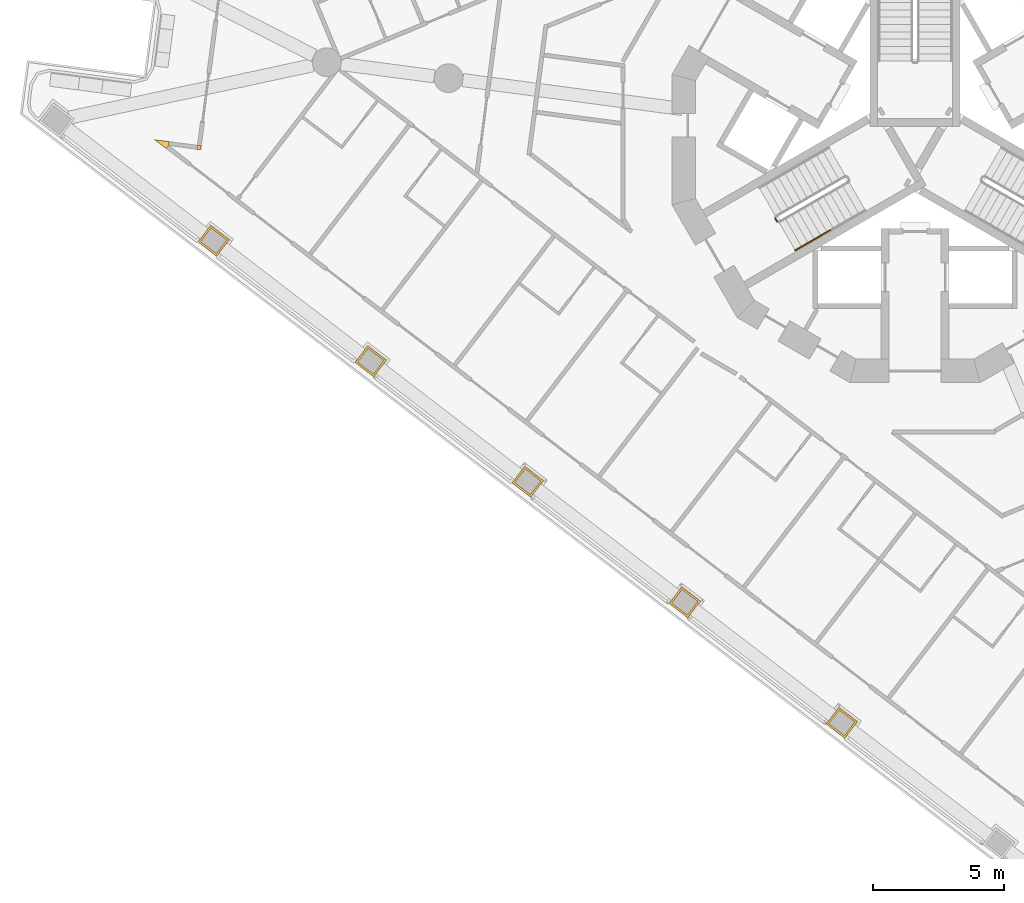
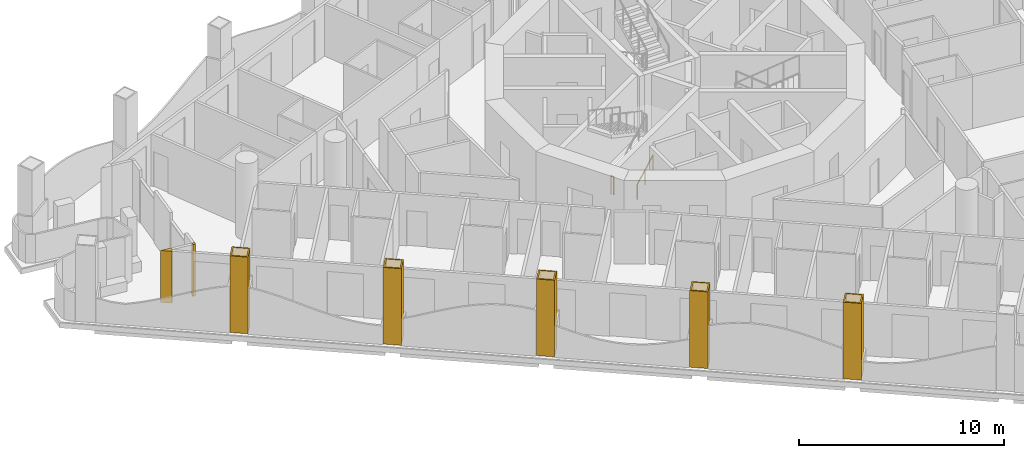
# One storey, part 11 of 17: 7 coverings, 2 railings.
"""IFC4 building model written with IfcOpenShell, lengths in metres."""

from ifc_helpers import new_model, si_unit, direction, frame, origin, origin_2d, place, context, subcontext, project, spatial, polyline, circle, outline, extrude, material, layer, layer_set, type_object, element, save


model = new_model("IFC4")

# Units and contexts
model_context = context("Model", 3, precision=1e-05, world=origin(), true_north=direction((0.0, 1.0)))
body_context = subcontext(model_context, "Body", "Model", "MODEL_VIEW")
ifc_project = project(units=[si_unit("LENGTHUNIT", "METRE"), si_unit("AREAUNIT", "SQUARE_METRE"), si_unit("VOLUMEUNIT", "CUBIC_METRE"), si_unit("PLANEANGLEUNIT", "RADIAN"), si_unit("MASSUNIT", "GRAM", prefix="KILO")], contexts=[model_context])

# Site, building, storey
site_placement = place(None, origin())
site = spatial("IfcSite", under=ifc_project, at=site_placement, CompositionType="ELEMENT")
building_placement = place(site_placement, origin())
building = spatial("IfcBuilding", under=site, at=building_placement, Name="Trine Commons Tower", CompositionType="ELEMENT")
storey_placement = place(building_placement, frame((0.0, 0.0, 153.0)))
storey = spatial("IfcBuildingStorey", under=building, at=storey_placement, Name="L39", CompositionType="ELEMENT", Elevation=153.0)

# Coverings
ifc_material_1 = material(Name="Aluminium-framed insulated wall panel", Category="aluminium")
ifc_layer_1 = layer(ifc_material_1, 0.14990234375)
ifc_layer_set_1 = layer_set([ifc_layer_1], Name="Aluminium-framed insulated wall panel")
covering_type_1 = type_object("IfcCoveringType", Name="Glazing corner post, aluminium", PredefinedType="CLADDING", material=ifc_layer_set_1)
covering_1_placement = place(storey_placement, origin())
element("IfcCovering", 1, at=covering_1_placement, inside=storey, type_object=covering_type_1, Name="Glazing corner post 4-01", PredefinedType="CLADDING", context=body_context, shape_type="SweptSolid", body=[
    extrude(outline(polyline([(51.43359375, 62.15576171875), (51.52490234375, 62.27490234375), (51.54443359375, 62.423583984375), (50.989501953125, 62.49658203125), (51.43359375, 62.15576171875)])), origin(), (0.0, 0.0, 1.0), 3.10009765625),
])
covering_2_placement = place(storey_placement, origin())
element("IfcCovering", 2, at=covering_2_placement, inside=storey, type_object=covering_type_1, Name="Glazing corner post 4-02", PredefinedType="CLADDING", context=body_context, shape_type="SweptSolid", body=[
    extrude(outline(polyline([(52.601318359375, 62.133056640625), (52.75, 62.113525390625), (52.76953125, 62.26220703125), (52.620849609375, 62.28173828125), (52.601318359375, 62.133056640625)])), origin(), (0.0, 0.0, 1.0), 3.10009765625),
])
ifc_material_2 = material(Name="Limestone, honed", Category="masonry")
ifc_layer_2 = layer(ifc_material_2, 0.074951171875)
ifc_layer_set_2 = layer_set([ifc_layer_2], Name="Limestone, honed")
covering_type_2 = type_object("IfcCoveringType", Name="Limestone column cladding 75", PredefinedType="CLADDING", material=ifc_layer_set_2)
covering_3_placement = place(storey_placement, origin())
element("IfcCovering", 3, at=covering_3_placement, inside=storey, type_object=covering_type_2, Name="Limestone pier cladding 4-03", PredefinedType="CLADDING", context=body_context, shape_type="SweptSolid", body=[
    extrude(outline(polyline([(77.092041015625, 40.84130859375), (76.60498046875, 40.206787109375), (77.319091796875, 39.65869140625), (77.805908203125, 40.29345703125), (77.092041015625, 40.84130859375)]), holes=[polyline([(77.105712890625, 40.736083984375), (76.710205078125, 40.220458984375), (77.30517578125, 39.763916015625), (77.700927734375, 40.27978515625), (77.105712890625, 40.736083984375)])]), origin(), (0.0, 0.0, 1.0), 4.565185546875),
])
covering_4_placement = place(storey_placement, origin())
element("IfcCovering", 4, at=covering_4_placement, inside=storey, type_object=covering_type_2, Name="Limestone pier cladding 4-04", PredefinedType="CLADDING", context=body_context, shape_type="SweptSolid", body=[
    extrude(outline(polyline([(71.1005859375, 45.438720703125), (70.61376953125, 44.803955078125), (71.32763671875, 44.256103515625), (71.814697265625, 44.890869140625), (71.1005859375, 45.438720703125)]), holes=[polyline([(71.114501953125, 45.33349609375), (70.71875, 44.81787109375), (71.31396484375, 44.361328125), (71.709716796875, 44.876953125), (71.114501953125, 45.33349609375)])]), origin(), (0.0, 0.0, 1.0), 4.565185546875),
])
covering_5_placement = place(storey_placement, origin())
element("IfcCovering", 5, at=covering_5_placement, inside=storey, type_object=covering_type_2, Name="Limestone pier cladding 4-05", PredefinedType="CLADDING", context=body_context, shape_type="SweptSolid", body=[
    extrude(outline(polyline([(65.109375, 50.035888671875), (64.622314453125, 49.4013671875), (65.336181640625, 48.853515625), (65.8232421875, 49.488037109375), (65.109375, 50.035888671875)]), holes=[polyline([(65.123046875, 49.930908203125), (64.727294921875, 49.4150390625), (65.322509765625, 48.95849609375), (65.71826171875, 49.474365234375), (65.123046875, 49.930908203125)])]), origin(), (0.0, 0.0, 1.0), 4.565185546875),
])
covering_6_placement = place(storey_placement, origin())
element("IfcCovering", 6, at=covering_6_placement, inside=storey, type_object=covering_type_2, Name="Limestone pier cladding 4-06", PredefinedType="CLADDING", context=body_context, shape_type="SweptSolid", body=[
    extrude(outline(polyline([(59.117919921875, 54.63330078125), (58.631103515625, 53.998779296875), (59.344970703125, 53.45068359375), (59.83203125, 54.08544921875), (59.117919921875, 54.63330078125)]), holes=[polyline([(59.1318359375, 54.5283203125), (58.736083984375, 54.012451171875), (59.331298828125, 53.555908203125), (59.726806640625, 54.07177734375), (59.1318359375, 54.5283203125)])]), origin(), (0.0, 0.0, 1.0), 4.565185546875),
])
covering_7_placement = place(storey_placement, origin())
element("IfcCovering", 7, at=covering_7_placement, inside=storey, type_object=covering_type_2, Name="Limestone pier cladding 4-07", PredefinedType="CLADDING", context=body_context, shape_type="SweptSolid", body=[
    extrude(outline(polyline([(53.126708984375, 59.230712890625), (52.6396484375, 58.595947265625), (53.353515625, 58.048095703125), (53.840576171875, 58.682861328125), (53.126708984375, 59.230712890625)]), holes=[polyline([(53.140380859375, 59.12548828125), (52.74462890625, 58.60986328125), (53.33984375, 58.1533203125), (53.735595703125, 58.6689453125), (53.140380859375, 59.12548828125)])]), origin(), (0.0, 0.0, 1.0), 4.565185546875),
])

# Railings
ifc_material_3 = material(Name="Stainless steel balustrade", Category="steel")
railing_type_1 = type_object("IfcRailingType", Name="Stair guard, steel balustrade 1100", PredefinedType="GUARDRAIL", material=ifc_material_3)
railing_1_placement = place(storey_placement, frame((74.73681640625, 59.374755859375, 0.0)))
element("IfcRailing", 8, at=railing_1_placement, inside=storey, type_object=railing_type_1, Name="L39 ST2B stair guard 4", PredefinedType="GUARDRAIL", context=body_context, shape_type="SweptSolid", body=[
    extrude(circle(Radius=0.02392578125, at=origin_2d()), frame((0.0, 0.0, 1.076171875), z_axis=(-0.499816412211, 0.866131372301, 0.0), x_axis=(-0.866131372301, -0.499816412211, 0.0)), (0.0, 0.0, 1.0), 0.14990234375),
    extrude(circle(Radius=0.02099609375, at=origin_2d()), origin(), (0.0, 0.0, 1.0), 1.052001953125),
    extrude(circle(Radius=0.02099609375, at=origin_2d()), frame((-0.074951171875, 0.1298828125, 0.0)), (0.0, 0.0, 1.0), 1.052001953125),
])
ifc_material_4 = material(Name="Stainless steel handrail", Category="steel")
railing_type_2 = type_object("IfcRailingType", Name="Stair handrail, steel 900", PredefinedType="HANDRAIL", material=ifc_material_4)
railing_2_placement = place(storey_placement, frame((75.43017578125, 58.27392578125, 0.14990234375)))
element("IfcRailing", 9, at=railing_2_placement, inside=storey, type_object=railing_type_2, Name="L39 ST2B stair handrail 1", PredefinedType="HANDRAIL", context=body_context, shape_type="SweptSolid", body=[
    extrude(circle(Radius=0.02099609375, at=origin_2d()), frame((0.0, 0.0, 0.87890625), z_axis=(0.763354580307, 0.440713956853, 0.472293333596), x_axis=(-0.499992328818, 0.866029832698, 0.0)), (0.0, 0.0, 1.0), 1.747314453125),
    extrude(circle(Radius=0.01513671875, at=origin_2d()), origin(), (0.0, 0.0, 1.0), 0.85791015625),
    extrude(circle(Radius=0.01513671875, at=origin_2d()), frame((0.6669921875, 0.385009765625, 0.41259765625)), (0.0, 0.0, 1.0), 0.85791015625),
    extrude(circle(Radius=0.01513671875, at=origin_2d()), frame((1.333740234375, 0.77001953125, 0.8251953125)), (0.0, 0.0, 1.0), 0.85791015625),
])

save(model, "model.ifc")
